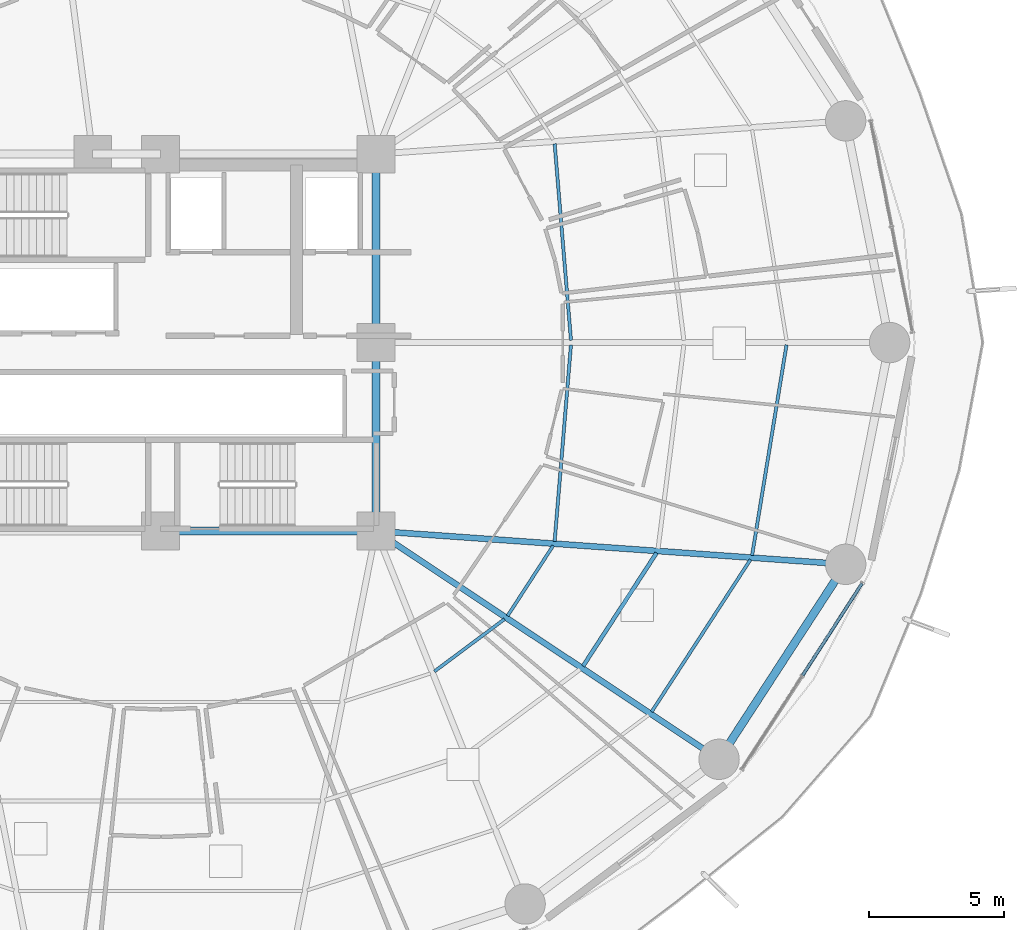
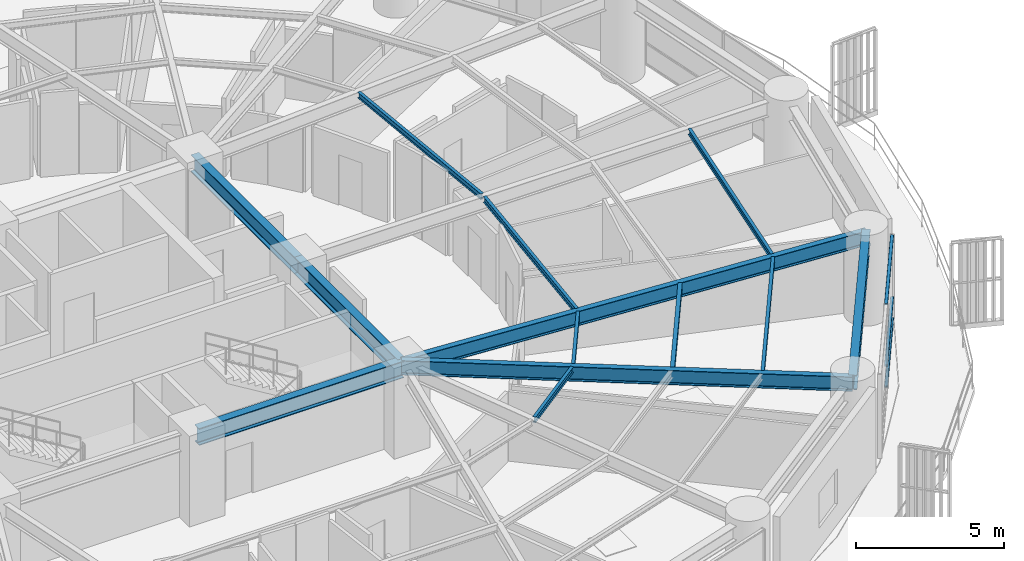
# One storey, part 11 of 32: 13 beams, 3 members, 1 element without a shape of its own.
"""IFC4 building model written with IfcOpenShell, lengths in metres."""

from ifc_helpers import new_model, si_unit, direction, frame, origin, origin_2d, place, context, subcontext, project, spatial, hollow_rectangle, i_section, extrude, material, layer, layer_set, material_profile, profile_set, type_object, element, aggregate, save


model = new_model("IFC4")

# Units and contexts
model_context = context("Model", 3, precision=1e-05, world=origin(), true_north=direction((0.0, 1.0)))
body_context = subcontext(model_context, "Body", "Model", "MODEL_VIEW")
ifc_project = project(units=[si_unit("LENGTHUNIT", "METRE"), si_unit("AREAUNIT", "SQUARE_METRE"), si_unit("VOLUMEUNIT", "CUBIC_METRE"), si_unit("PLANEANGLEUNIT", "RADIAN"), si_unit("MASSUNIT", "GRAM", prefix="KILO")], contexts=[model_context])

# Site, building, storey
site_placement = place(None, origin())
site = spatial("IfcSite", under=ifc_project, at=site_placement, CompositionType="ELEMENT")
building_placement = place(site_placement, origin())
building = spatial("IfcBuilding", under=site, at=building_placement, Name="Kelanora Arch Commons", CompositionType="ELEMENT")
storey_placement = place(building_placement, frame((0.0, 0.0, 52.5)))
storey = spatial("IfcBuildingStorey", under=building, at=storey_placement, Name="L13", CompositionType="ELEMENT", Elevation=52.5)

# Beams
ifc_material_1 = material(Name="Steel S355", Category="steel")
ifc_material_profile_1 = material_profile(ifc_material_1, i_section(OverallWidth=0.300048828125, OverallDepth=0.699951171875, WebThickness=0.01708984375, FlangeThickness=0.031982421875, FilletRadius=0.027099609375, at=origin_2d()), Name="HEB700")
ifc_profile_set_1 = profile_set([ifc_material_profile_1], Name="Steel S355")
beam_type_1 = type_object("IfcBeamType", Name="BM-CORE-HDR", PredefinedType="BEAM", material=ifc_profile_set_1)
beam_1_placement = place(storey_placement, frame((74.0, 51.0, 3.139892578125), z_axis=(1.0, 0.0, 0.0), x_axis=(0.0, 1.0, 0.0)))
element("IfcBeam", 1, at=beam_1_placement, inside=storey, type_object=beam_type_1, Name="Core Header Beam 02 L13", PredefinedType="BEAM", context=body_context, shape_type="SweptSolid", body=[
    extrude(i_section(OverallWidth=0.300048828125, OverallDepth=0.699951171875, WebThickness=0.01708984375, FlangeThickness=0.031982421875, FilletRadius=0.027099609375, at=origin_2d()), origin(), (0.0, 0.0, 1.0), 8.0),
])
for number, where, z_axis, x_axis, name in (
    (2, (82.0, 51.0, 3.139892578125), (0.0, 1.0, 0.0), (-1.0, 0.0, 0.0), "Core Header Beam 03 L13"),
    (3, (82.0, 58.0, 3.139892578125), (0.0, 1.0, 0.0), (-1.0, 0.0, 0.0), "Core Header Beam 04 L13"),
):
    element("IfcBeam", number, at=place(storey_placement, frame(where, z_axis=z_axis, x_axis=x_axis)), inside=storey, type_object=beam_type_1, Name=name, PredefinedType="BEAM", context=body_context, shape_type="SweptSolid", body=[
        extrude(i_section(OverallWidth=0.300048828125, OverallDepth=0.699951171875, WebThickness=0.01708984375, FlangeThickness=0.031982421875, FilletRadius=0.027099609375, at=origin_2d()), origin(), (0.0, 0.0, 1.0), 7.0),
    ])
ifc_material_profile_2 = material_profile(ifc_material_1, i_section(OverallWidth=0.14990234375, OverallDepth=0.300048828125, WebThickness=0.007080078125, FlangeThickness=0.0107421875, FilletRadius=0.014892578125, at=origin_2d()), Name="IPE300")
ifc_profile_set_2 = profile_set([ifc_material_profile_2], Name="Steel S355")
beam_type_2 = type_object("IfcBeamType", Name="BM-JST-01", PredefinedType="JOIST", material=ifc_profile_set_2)
beam_2_placement = place(storey_placement, frame((89.693115234375, 45.984375, 3.340087890625), z_axis=(0.544551588245, 0.838727350061, 0.0), x_axis=(-0.838727350061, 0.544551588245, 0.0)))
element("IfcBeam", 4, at=beam_2_placement, inside=storey, type_object=beam_type_2, Name="Secondary Chord Joist BJB-32 L13", PredefinedType="JOIST", context=body_context, shape_type="SweptSolid", body=[
    extrude(i_section(OverallWidth=0.14990234375, OverallDepth=0.300048828125, WebThickness=0.007080078125, FlangeThickness=0.0107421875, FilletRadius=0.014892578125, at=origin_2d()), origin(), (0.0, 0.0, 1.0), 5.010986328125),
])
ifc_material_profile_3 = material_profile(ifc_material_1, i_section(OverallWidth=0.1201171875, OverallDepth=0.239990234375, WebThickness=0.006103515625, FlangeThickness=0.009765625, FilletRadius=0.014892578125, at=origin_2d()), Name="IPE240")
ifc_profile_set_3 = profile_set([ifc_material_profile_3], Name="Steel S355")
beam_type_3 = type_object("IfcBeamType", Name="BM-JST-02", PredefinedType="JOIST", material=ifc_profile_set_3)
beam_3_placement = place(storey_placement, frame((89.243408203125, 58.084716796875, 3.3701171875), z_axis=(-0.082786209886, 0.996567330115, 0.0), x_axis=(-0.996567330115, -0.082786209886, 0.0)))
element("IfcBeam", 5, at=beam_3_placement, inside=storey, type_object=beam_type_3, Name="Secondary Chord Joist BJA-00 L13", PredefinedType="JOIST", context=body_context, shape_type="SweptSolid", body=[
    extrude(i_section(OverallWidth=0.1201171875, OverallDepth=0.239990234375, WebThickness=0.006103515625, FlangeThickness=0.009765625, FilletRadius=0.014892578125, at=origin_2d()), origin(), (0.0, 0.0, 1.0), 7.325439453125),
])
beam_4_placement = place(storey_placement, frame((84.17333984375, 45.786376953125, 3.3701171875), z_axis=(0.801513822608, 0.59797624716, 0.0), x_axis=(-0.59797624716, 0.801513822608, 0.0)))
element("IfcBeam", 6, at=beam_4_placement, inside=storey, type_object=beam_type_3, Name="Secondary Chord Joist BJA-30 L13", PredefinedType="JOIST", context=body_context, shape_type="SweptSolid", body=[
    extrude(i_section(OverallWidth=0.1201171875, OverallDepth=0.239990234375, WebThickness=0.006103515625, FlangeThickness=0.009765625, FilletRadius=0.014892578125, at=origin_2d()), origin(), (0.0, 0.0, 1.0), 3.245849609375),
])
beam_5_placement = place(storey_placement, frame((86.88916015625, 47.849609375, 3.3701171875), z_axis=(0.544591105858, 0.838701691557, 0.0), x_axis=(-0.838701691557, 0.544591105858, 0.0)))
element("IfcBeam", 7, at=beam_5_placement, inside=storey, type_object=beam_type_3, Name="Secondary Chord Joist BJA-32 L13", PredefinedType="JOIST", context=body_context, shape_type="SweptSolid", body=[
    extrude(i_section(OverallWidth=0.1201171875, OverallDepth=0.239990234375, WebThickness=0.006103515625, FlangeThickness=0.009765625, FilletRadius=0.014892578125, at=origin_2d()), origin(), (0.0, 0.0, 1.0), 3.111328125),
])
beam_6_placement = place(storey_placement, frame((92.241943359375, 44.288818359375, 3.3701171875), z_axis=(0.544550165372, 0.838728273873, 0.0), x_axis=(-0.838728273873, 0.544550165372, 0.0)))
element("IfcBeam", 8, at=beam_6_placement, inside=storey, type_object=beam_type_3, Name="Secondary Chord Joist BJC-32 L13", PredefinedType="JOIST", context=body_context, shape_type="SweptSolid", body=[
    extrude(i_section(OverallWidth=0.1201171875, OverallDepth=0.239990234375, WebThickness=0.006103515625, FlangeThickness=0.009765625, FilletRadius=0.014892578125, at=origin_2d()), origin(), (0.0, 0.0, 1.0), 6.738037109375),
])
beam_7_placement = place(storey_placement, frame((88.636962890625, 50.614990234375, 3.3701171875), z_axis=(0.082786209886, 0.996567330115, 0.0), x_axis=(-0.996567330115, 0.082786209886, 0.0)))
element("IfcBeam", 9, at=beam_7_placement, inside=storey, type_object=beam_type_3, Name="Secondary Chord Joist BJA-34 L13", PredefinedType="JOIST", context=body_context, shape_type="SweptSolid", body=[
    extrude(i_section(OverallWidth=0.1201171875, OverallDepth=0.239990234375, WebThickness=0.006103515625, FlangeThickness=0.009765625, FilletRadius=0.014892578125, at=origin_2d()), origin(), (0.0, 0.0, 1.0), 7.325439453125),
])
beam_8_placement = place(storey_placement, frame((95.97119140625, 50.09521484375, 3.3701171875), z_axis=(0.161400737199, 0.986888951216, 0.0), x_axis=(-0.986888951216, 0.161400737199, 0.0)))
element("IfcBeam", 10, at=beam_8_placement, inside=storey, type_object=beam_type_3, Name="Secondary Chord Joist BJC-34 L13", PredefinedType="JOIST", context=body_context, shape_type="SweptSolid", body=[
    extrude(i_section(OverallWidth=0.1201171875, OverallDepth=0.239990234375, WebThickness=0.006103515625, FlangeThickness=0.009765625, FilletRadius=0.014892578125, at=origin_2d()), origin(), (0.0, 0.0, 1.0), 7.9248046875),
])
ifc_material_profile_4 = material_profile(ifc_material_1, i_section(OverallWidth=0.219970703125, OverallDepth=0.60009765625, WebThickness=0.011962890625, FlangeThickness=0.01904296875, FilletRadius=0.02392578125, at=origin_2d()), Name="IPE600")
ifc_profile_set_4 = profile_set([ifc_material_profile_4], Name="Steel S355")
beam_type_4 = type_object("IfcBeamType", Name="BM-RAD-Z1", PredefinedType="BEAM", material=ifc_profile_set_4)
beam_9_placement = place(storey_placement, frame((82.0, 51.0, 3.18994140625), z_axis=(0.832592187754, -0.553886494591, 0.0), x_axis=(0.553886494591, 0.832592187754, 0.0)))
element("IfcBeam", 11, at=beam_9_placement, inside=storey, type_object=beam_type_4, Name="Radial Floor Girder BR-32 L13", PredefinedType="BEAM", context=body_context, shape_type="SweptSolid", body=[
    extrude(i_section(OverallWidth=0.219970703125, OverallDepth=0.60009765625, WebThickness=0.011962890625, FlangeThickness=0.01904296875, FilletRadius=0.02392578125, at=origin_2d()), origin(), (0.0, 0.0, 1.0), 15.306884765625),
])
beam_10_placement = place(storey_placement, frame((82.0, 51.0, 3.18994140625), z_axis=(0.997500683472, -0.070656821848, 0.0), x_axis=(0.070656821848, 0.997500683472, 0.0)))
element("IfcBeam", 12, at=beam_10_placement, inside=storey, type_object=beam_type_4, Name="Radial Floor Girder BR-34 L13", PredefinedType="BEAM", context=body_context, shape_type="SweptSolid", body=[
    extrude(i_section(OverallWidth=0.219970703125, OverallDepth=0.60009765625, WebThickness=0.011962890625, FlangeThickness=0.01904296875, FilletRadius=0.02392578125, at=origin_2d()), origin(), (0.0, 0.0, 1.0), 17.49072265625),
])
ifc_material_profile_5 = material_profile(ifc_material_1, i_section(OverallWidth=0.300048828125, OverallDepth=0.60009765625, WebThickness=0.015380859375, FlangeThickness=0.030029296875, FilletRadius=0.027099609375, at=origin_2d()), Name="HEB600")
ifc_profile_set_5 = profile_set([ifc_material_profile_5], Name="Steel S355")
beam_type_5 = type_object("IfcBeamType", Name="BM-SPN-Z1", PredefinedType="SPANDREL", material=ifc_profile_set_5)
beam_11_placement = place(storey_placement, frame((94.744384765625, 42.521728515625, 3.18994140625), z_axis=(0.544585813928, 0.838705127722, 0.0), x_axis=(-0.838705127722, 0.544585813928, 0.0)))
element("IfcBeam", 13, at=beam_11_placement, inside=storey, type_object=beam_type_5, Name="Perimeter Spandrel Beam BS-32 L13", PredefinedType="SPANDREL", context=body_context, shape_type="SweptSolid", body=[
    extrude(i_section(OverallWidth=0.300048828125, OverallDepth=0.60009765625, WebThickness=0.015380859375, FlangeThickness=0.030029296875, FilletRadius=0.027099609375, at=origin_2d()), origin(), (0.0, 0.0, 1.0), 8.63525390625),
])

# Curtain wall, members
ifc_material_2 = material(Name="Terracotta ceramic-fritted low-E glass and aluminium", Category="masonry")
ifc_layer = layer(ifc_material_2, 0.159912109375)
ifc_layer_set = layer_set([ifc_layer], Name="Terracotta ceramic-fritted low-E glass and aluminium")
curtain_wall_type = type_object("IfcCurtainWallType", Name="CW-SYS-01", PredefinedType="NOTDEFINED", material=ifc_layer_set)
curtain_wall_placement = place(storey_placement, origin())
curtain_wall = element("IfcCurtainWall", 14, at=curtain_wall_placement, inside=storey, type_object=curtain_wall_type, Name="Unitised Curtain Wall L13-B16", PredefinedType="NOTDEFINED")
ifc_material_3 = material(Name="Powder-coated aluminium terracotta", Category="masonry")
ifc_material_profile_6 = material_profile(ifc_material_3, hollow_rectangle(XDim=0.1201171875, YDim=0.06005859375, WallThickness=0.0048828125, InnerFilletRadius=0.0048828125, OuterFilletRadius=0.010009765625, at=origin_2d()), Name="CWT120x60")
ifc_profile_set_6 = profile_set([ifc_material_profile_6], Name="Powder-coated aluminium terracotta")
member_type = type_object("IfcMemberType", Name="CWT-STD", PredefinedType="USERDEFINED", material=ifc_profile_set_6)
member_1_placement = place(storey_placement, frame((97.84716796875, 45.638671875, 0.030029296875), z_axis=(0.542997414293, 0.839734367566, 0.0), x_axis=(-0.839734367566, 0.542997414293, 0.0)))
member_1 = element("IfcMember", 15, at=member_1_placement, type_object=member_type, Name="CW-01 transom 2.1", ObjectType="TRANSOM", PredefinedType="USERDEFINED", context=body_context, shape_type="SweptSolid", body=[
    extrude(hollow_rectangle(XDim=0.1201171875, YDim=0.06005859375, WallThickness=0.0048828125, InnerFilletRadius=0.0048828125, OuterFilletRadius=0.010009765625, at=origin_2d()), origin(), (0.0, 0.0, 1.0), 4.067626953125),
])
member_2_placement = place(storey_placement, frame((97.84716796875, 45.638671875, 0.89990234375), z_axis=(0.542997414293, 0.839734367566, 0.0), x_axis=(-0.839734367566, 0.542997414293, 0.0)))
member_2 = element("IfcMember", 16, at=member_2_placement, type_object=member_type, Name="CW-01 transom 2.2", ObjectType="TRANSOM", PredefinedType="USERDEFINED", context=body_context, shape_type="SweptSolid", body=[
    extrude(hollow_rectangle(XDim=0.1201171875, YDim=0.06005859375, WallThickness=0.0048828125, InnerFilletRadius=0.0048828125, OuterFilletRadius=0.010009765625, at=origin_2d()), origin(), (0.0, 0.0, 1.0), 4.067626953125),
])
member_3_placement = place(storey_placement, frame((97.84716796875, 45.638671875, 3.445068359375), z_axis=(0.542997414293, 0.839734367566, 0.0), x_axis=(-0.839734367566, 0.542997414293, 0.0)))
member_3 = element("IfcMember", 17, at=member_3_placement, type_object=member_type, Name="CW-01 transom 2.3", ObjectType="TRANSOM", PredefinedType="USERDEFINED", context=body_context, shape_type="SweptSolid", body=[
    extrude(hollow_rectangle(XDim=0.1201171875, YDim=0.06005859375, WallThickness=0.0048828125, InnerFilletRadius=0.0048828125, OuterFilletRadius=0.010009765625, at=origin_2d()), origin(), (0.0, 0.0, 1.0), 4.067626953125),
])
aggregate(curtain_wall, [member_1, member_2, member_3])

save(model, "model.ifc")
